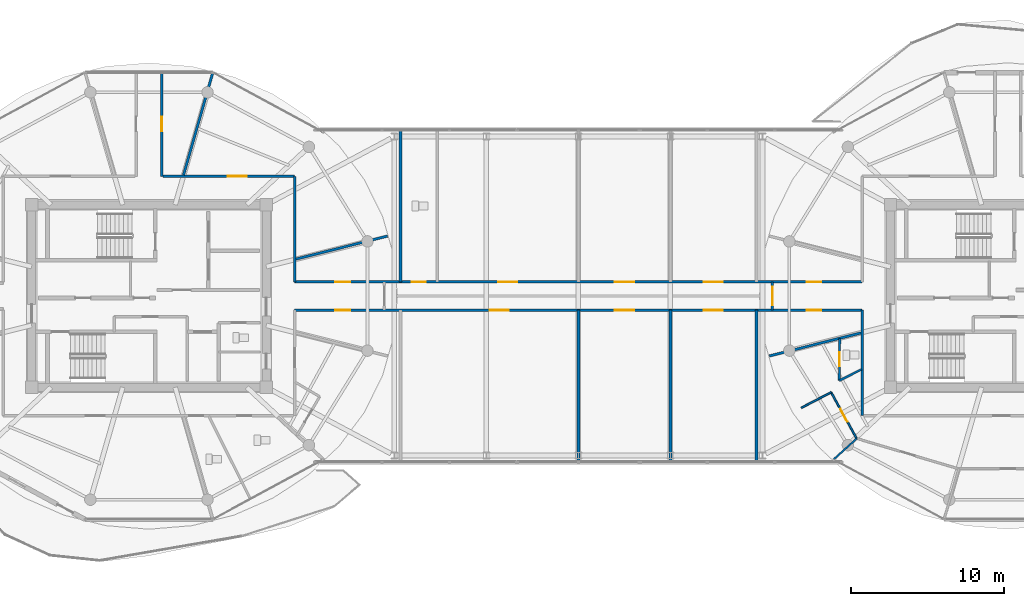
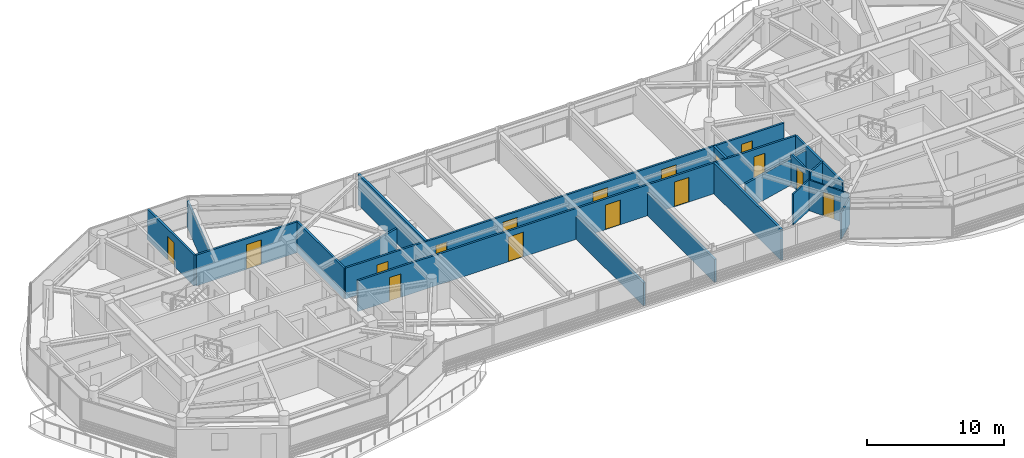
# One storey, part 16 of 24: 19 walls, 16 doors, 16 openings.
"""IFC4 building model written with IfcOpenShell, lengths in metres."""

from ifc_helpers import new_model, si_unit, direction, frame, frame_2d, origin, place, context, subcontext, project, spatial, rectangle, extrude, source, transform, mapped, material, layer, layer_set, type_object, type_shapes, element, fill, save


model = new_model("IFC4")

# Units and contexts
model_context = context("Model", 3, precision=1e-05, world=origin(), true_north=direction((0.0, 1.0)))
body_context = subcontext(model_context, "Body", "Model", "MODEL_VIEW")
ifc_project = project(units=[si_unit("LENGTHUNIT", "METRE"), si_unit("AREAUNIT", "SQUARE_METRE"), si_unit("VOLUMEUNIT", "CUBIC_METRE"), si_unit("PLANEANGLEUNIT", "RADIAN"), si_unit("MASSUNIT", "GRAM", prefix="KILO")], contexts=[model_context])

# Site, building, storey
site_placement = place(None, origin())
site = spatial("IfcSite", under=ifc_project, at=site_placement, CompositionType="ELEMENT")
building_placement = place(site_placement, origin())
building = spatial("IfcBuilding", under=site, at=building_placement, Name="Norrkilde Senior Care Towers", CompositionType="ELEMENT")
storey_placement = place(building_placement, frame((0.0, 0.0, 226.10009765625)))
storey = spatial("IfcBuildingStorey", under=building, at=storey_placement, Name="L70", CompositionType="ELEMENT", Elevation=226.10009765625)

# Walls
ifc_material_1 = material(Name="Gypsum Acoustic Board")
ifc_layer_1 = layer(ifc_material_1, 0.1650390625)
ifc_layer_set_1 = layer_set([ifc_layer_1], Name="Gypsum Acoustic Board")
wall_type_1 = type_object("IfcWallType", Name="Corridor Rated Partition 165", PredefinedType="PARTITIONING", material=ifc_layer_set_1)
shared_shape_1 = source(origin(), body_context, "Body", "SweptSolid", [
    extrude(rectangle(XDim=6.973876953125, YDim=0.1650390625, at=frame_2d((3.48681640625, 0.0))), origin(), (0.0, 0.0, 1.0), 2.344970703125),
])
wall_1_placement = place(storey_placement, frame((-25.748779296875, 7.8798828125, 0.0), z_axis=(0.0, 0.0, 1.0), x_axis=(0.274707256801, 0.961527910703, 0.0)))
element("IfcWall", 1, at=wall_1_placement, inside=storey, type_object=wall_type_1, Name="WL-INT-L70-W-DEM-02-0", PredefinedType="PARTITIONING", context=body_context, shape_type="MappedRepresentation", body=[
    mapped(shared_shape_1, transform((0.0, 0.0, 0.0), x_axis=(1.0, 0.0, 0.0), y_axis=(0.0, 1.0, 0.0), z_axis=(0.0, 0.0, 1.0), scale=1.0)),
])
shared_shape_2 = source(origin(), body_context, "Body", "SweptSolid", [
    extrude(rectangle(XDim=6.1572265625, YDim=0.1650390625, at=frame_2d((3.07861328125, 0.0))), origin(), (0.0, 0.0, 1.0), 2.344970703125),
])
for number, where, z_axis, x_axis, name in (
    (2, (-18.419921875, 2.407470703125, 0.0), (0.0, 0.0, 1.0), (0.969840867184, 0.243738984038, 0.0), "WL-INT-L70-W-DEM-00-0"),
    (3, (18.419921875, -2.407470703125, 0.0), (0.0, 0.0, 1.0), (-0.969840867184, -0.243738984038, 0.0), "WL-INT-L70-E-DEM-06-0"),
):
    element("IfcWall", number, at=place(storey_placement, frame(where, z_axis=z_axis, x_axis=x_axis)), inside=storey, type_object=wall_type_1, Name=name, PredefinedType="PARTITIONING", context=body_context, shape_type="MappedRepresentation", body=[
        mapped(shared_shape_2, transform((0.0, 0.0, 0.0), x_axis=(1.0, 0.0, 0.0), y_axis=(0.0, 1.0, 0.0), z_axis=(0.0, 0.0, 1.0), scale=1.0)),
    ])
ifc_layer_2 = layer(ifc_material_1, 0.114990234375)
ifc_layer_set_2 = layer_set([ifc_layer_2], Name="Gypsum Acoustic Board")
wall_type_2 = type_object("IfcWallType", Name="Internal Room Partition 115", PredefinedType="PARTITIONING", material=ifc_layer_set_2)
shared_shape_3 = source(origin(), body_context, "Body", "SweptSolid", [
    extrude(rectangle(XDim=2.071533203125, YDim=0.114990234375, at=frame_2d((1.03564453125, 0.0))), origin(), (0.0, 0.0, 1.0), 2.344970703125),
])
wall_2_placement = place(storey_placement, frame((18.1513671875, -9.287109375, 0.0), z_axis=(0.0, 0.0, 1.0), x_axis=(-0.741410125356, -0.671052178314, 0.0)))
element("IfcWall", 4, at=wall_2_placement, inside=storey, type_object=wall_type_2, Name="WL-INT-L70-E-UBR-06-1", PredefinedType="PARTITIONING", context=body_context, shape_type="MappedRepresentation", body=[
    mapped(shared_shape_3, transform((0.0, 0.0, 0.0), x_axis=(1.0, 0.0, 0.0), y_axis=(0.0, 1.0, 0.0), z_axis=(0.0, 0.0, 1.0), scale=1.0)),
])

# Wall, opening, door
shared_shape_4 = source(origin(), body_context, "Body", "SweptSolid", [
    extrude(rectangle(XDim=8.580078125, YDim=0.1650390625, at=frame_2d((4.2900390625, 0.0))), origin(), (0.0, 0.0, 1.0), 2.744873046875),
])
wall_3_placement = place(storey_placement, frame((-27.080078125, 7.800048828125, 0.0), z_axis=(0.0, 0.0, 1.0), x_axis=(1.0, 0.0, 0.0)))
wall_3 = element("IfcWall", 5, at=wall_3_placement, inside=storey, type_object=wall_type_1, Name="WL-INT-L70-W-CRW-N-1", PredefinedType="PARTITIONING", context=body_context, shape_type="MappedRepresentation", body=[
    mapped(shared_shape_4, transform((0.0, 0.0, 0.0), x_axis=(1.0, 0.0, 0.0), y_axis=(0.0, 1.0, 0.0), z_axis=(0.0, 0.0, 1.0), scale=1.0)),
])
opening_1_placement = place(wall_3_placement, frame((4.2197265625, 0.0, 0.0)))
opening_1 = element("IfcOpeningElement", 6, at=opening_1_placement, cuts=wall_3, Name="Opening D-05", PredefinedType="OPENING", context=body_context, shape_type="SweptSolid", body=[
    extrude(rectangle(XDim=1.25, YDim=2.199951171875, at=frame_2d((0.625, 1.10009765625))), frame((0.0, 0.092529296875, 0.0), z_axis=(0.0, -1.0, 0.0), x_axis=(1.0, 0.0, 0.0)), (0.0, 0.0, 1.0), 0.18505859375),
])
ifc_material_2 = material(Name="Nordic Ash Timber", Category="wood")
door_type_1 = type_object("IfcDoorType", Name="Care Bedroom Bariatric Door 1250x2200", OperationType="NOTDEFINED", PredefinedType="DOOR", material=ifc_material_2)
shared_shape_5 = source(origin(), body_context, "Body", "SweptSolid", [
    extrude(rectangle(XDim=1.25, YDim=2.199951171875, at=frame_2d((0.625, 1.10009765625))), frame((0.0, 0.02490234375, 0.0), z_axis=(0.0, -1.0, 0.0), x_axis=(1.0, 0.0, 0.0)), (0.0, 0.0, 1.0), 0.050048828125),
])
type_shapes(door_type_1, [shared_shape_5])
door_1_placement = place(opening_1_placement, frame((1.25, 0.0, 0.0), z_axis=(0.0, 0.0, 1.0), x_axis=(-1.0, 0.0, 0.0)))
door_1 = element("IfcDoor", 7, at=door_1_placement, inside=storey, type_object=door_type_1, Name="L70 Household Communal Dining Salon Door", OperationType="SINGLE_SWING_LEFT", OverallHeight=2.199951171875, OverallWidth=1.25, PredefinedType="DOOR", context=body_context, shape_type="MappedRepresentation", body=[
    mapped(shared_shape_5, transform((0.0, 0.0, 0.0), x_axis=(1.0, 0.0, 0.0), y_axis=(0.0, 1.0, 0.0), z_axis=(0.0, 0.0, 1.0), scale=1.0)),
])
fill(opening_1, door_1)

# Walls
shared_shape_6 = source(origin(), body_context, "Body", "SweptSolid", [
    extrude(rectangle(XDim=6.880126953125, YDim=0.1650390625, at=frame_2d((3.43994140625, 0.0))), origin(), (0.0, 0.0, 1.0), 2.744873046875),
])
for number, where, z_axis, x_axis, name in (
    (8, (-18.5, 7.800048828125, 0.0), (0.0, 0.0, 1.0), (0.0, -1.0, 0.0), "WL-INT-L70-W-CRW-E-0"),
    (9, (18.5, -7.800048828125, 0.0), (0.0, 0.0, 1.0), (0.0, 1.0, 0.0), "WL-INT-L70-E-CRW-W-0"),
):
    element("IfcWall", number, at=place(storey_placement, frame(where, z_axis=z_axis, x_axis=x_axis)), inside=storey, type_object=wall_type_1, Name=name, PredefinedType="PARTITIONING", context=body_context, shape_type="MappedRepresentation", body=[
        mapped(shared_shape_6, transform((0.0, 0.0, 0.0), x_axis=(1.0, 0.0, 0.0), y_axis=(0.0, 1.0, 0.0), z_axis=(0.0, 0.0, 1.0), scale=1.0)),
    ])

# Wall, opening, door
shared_shape_7 = source(origin(), body_context, "Body", "SweptSolid", [
    extrude(rectangle(XDim=6.83544921875, YDim=0.1650390625, at=frame_2d((3.417724609375, 0.0))), origin(), (0.0, 0.0, 1.0), 2.744873046875),
])
wall_4_placement = place(storey_placement, frame((-27.159912109375, 14.635498046875, 0.0), z_axis=(0.0, 0.0, 1.0), x_axis=(0.0, -1.0, 0.0)))
wall_4 = element("IfcWall", 10, at=wall_4_placement, inside=storey, type_object=wall_type_1, Name="WL-INT-L70-W-SPK-N2-0", PredefinedType="PARTITIONING", context=body_context, shape_type="MappedRepresentation", body=[
    mapped(shared_shape_7, transform((0.0, 0.0, 0.0), x_axis=(1.0, 0.0, 0.0), y_axis=(0.0, 1.0, 0.0), z_axis=(0.0, 0.0, 1.0), scale=1.0)),
])
opening_2_placement = place(wall_4_placement, frame((2.942626953125, 0.0, 0.0)))
opening_2 = element("IfcOpeningElement", 11, at=opening_2_placement, cuts=wall_4, Name="Opening D-07", PredefinedType="OPENING", context=body_context, shape_type="SweptSolid", body=[
    extrude(rectangle(XDim=0.949951171875, YDim=2.10009765625, at=frame_2d((0.47509765625, 1.050048828125))), frame((0.0, 0.092529296875, 0.0), z_axis=(0.0, -1.0, 0.0), x_axis=(1.0, 0.0, 0.0)), (0.0, 0.0, 1.0), 0.18505859375),
])
door_type_2 = type_object("IfcDoorType", Name="Internal Suite Bedroom Door 950x2100", OperationType="NOTDEFINED", PredefinedType="DOOR", material=ifc_material_2)
shared_shape_8 = source(origin(), body_context, "Body", "SweptSolid", [
    extrude(rectangle(XDim=0.949951171875, YDim=2.10009765625, at=frame_2d((0.47509765625, 1.050048828125))), frame((0.0, 0.02490234375, 0.0), z_axis=(0.0, -1.0, 0.0), x_axis=(1.0, 0.0, 0.0)), (0.0, 0.0, 1.0), 0.050048828125),
])
type_shapes(door_type_2, [shared_shape_8])
door_2_placement = place(opening_2_placement, frame((0.949951171875, 0.0, 0.0), z_axis=(0.0, 0.0, 1.0), x_axis=(-1.0, 0.0, 0.0)))
door_2 = element("IfcDoor", 12, at=door_2_placement, inside=storey, type_object=door_type_2, Name="L70 Sun Reading Lounge 4 Door", OperationType="SINGLE_SWING_LEFT", OverallHeight=2.10009765625, OverallWidth=0.949951171875, PredefinedType="DOOR", context=body_context, shape_type="MappedRepresentation", body=[
    mapped(shared_shape_8, transform((0.0, 0.0, 0.0), x_axis=(1.0, 0.0, 0.0), y_axis=(0.0, 1.0, 0.0), z_axis=(0.0, 0.0, 1.0), scale=1.0)),
])
fill(opening_2, door_2)

# Wall
ifc_layer_3 = layer(ifc_material_1, 0.139892578125)
ifc_layer_set_3 = layer_set([ifc_layer_3], Name="Gypsum Acoustic Board")
wall_type_3 = type_object("IfcWallType", Name="En-suite Wet Room Wall 140", PredefinedType="PARTITIONING", material=ifc_layer_set_3)
shared_shape_9 = source(origin(), body_context, "Body", "SweptSolid", [
    extrude(rectangle(XDim=1.638427734375, YDim=0.139892578125, at=frame_2d((0.8193359375, 0.0))), origin(), (0.0, 0.0, 1.0), 2.744873046875),
])
wall_5_placement = place(storey_placement, frame((18.469970703125, -4.7783203125, 0.0), z_axis=(0.0, 0.0, 1.0), x_axis=(-0.893919977945, -0.448226586707, 0.0)))
element("IfcWall", 13, at=wall_5_placement, inside=storey, type_object=wall_type_3, Name="WL-INT-L70-E-UBTS-06", PredefinedType="PARTITIONING", context=body_context, shape_type="MappedRepresentation", body=[
    mapped(shared_shape_9, transform((0.0, 0.0, 0.0), x_axis=(1.0, 0.0, 0.0), y_axis=(0.0, 1.0, 0.0), z_axis=(0.0, 0.0, 1.0), scale=1.0)),
])

# Wall, opening, door
shared_shape_10 = source(origin(), body_context, "Body", "SweptSolid", [
    extrude(rectangle(XDim=2.7587890625, YDim=0.139892578125, at=frame_2d((1.37939453125, 0.0))), origin(), (0.0, 0.0, 1.0), 2.744873046875),
])
type_shapes(wall_type_3, [shared_shape_9, shared_shape_10])
wall_6_placement = place(storey_placement, frame((17.00537109375, -5.5126953125, 0.0), z_axis=(0.0, 0.0, 1.0), x_axis=(0.01194710728, 0.999928630767, 0.0)))
wall_6 = element("IfcWall", 14, at=wall_6_placement, inside=storey, type_object=wall_type_3, Name="WL-INT-L70-E-UBTF-06", PredefinedType="PARTITIONING", context=body_context, shape_type="MappedRepresentation", body=[
    mapped(shared_shape_10, transform((0.0, 0.0, 0.0), x_axis=(1.0, 0.0, 0.0), y_axis=(0.0, 1.0, 0.0), z_axis=(0.0, 0.0, 1.0), scale=1.0)),
])
opening_3_placement = place(wall_6_placement, frame((0.91943359375, 0.0, 0.0)))
opening_3 = element("IfcOpeningElement", 15, at=opening_3_placement, cuts=wall_6, Name="Opening D-08", PredefinedType="OPENING", context=body_context, shape_type="SweptSolid", body=[
    extrude(rectangle(XDim=0.919921875, YDim=2.10009765625, at=frame_2d((0.4599609375, 1.050048828125))), frame((0.0, 0.079833984375, 0.0), z_axis=(0.0, -1.0, 0.0), x_axis=(1.0, 0.0, 0.0)), (0.0, 0.0, 1.0), 0.159912109375),
])
door_type_3 = type_object("IfcDoorType", Name="Accessible Wet Room Door 920x2100", OperationType="NOTDEFINED", PredefinedType="DOOR", material=ifc_material_2)
shared_shape_11 = source(origin(), body_context, "Body", "SweptSolid", [
    extrude(rectangle(XDim=0.919921875, YDim=2.10009765625, at=frame_2d((0.4599609375, 1.050048828125))), frame((0.0, 0.02490234375, 0.0), z_axis=(0.0, -1.0, 0.0), x_axis=(1.0, 0.0, 0.0)), (0.0, 0.0, 1.0), 0.050048828125),
])
type_shapes(door_type_3, [shared_shape_11])
door_3_placement = place(opening_3_placement, origin())
door_3 = element("IfcDoor", 16, at=door_3_placement, inside=storey, type_object=door_type_3, Name="Apartment 70D Bathroom Door", OperationType="SINGLE_SWING_RIGHT", OverallHeight=2.10009765625, OverallWidth=0.919921875, PredefinedType="DOOR", context=body_context, shape_type="MappedRepresentation", body=[
    mapped(shared_shape_11, transform((0.0, 0.0, 0.0), x_axis=(1.0, 0.0, 0.0), y_axis=(0.0, 1.0, 0.0), z_axis=(0.0, 0.0, 1.0), scale=1.0)),
])
fill(opening_3, door_3)

shared_shape_12 = source(origin(), body_context, "Body", "SweptSolid", [
    extrude(rectangle(XDim=1.83984375, YDim=0.1650390625, at=frame_2d((0.919921875, 0.0))), origin(), (0.0, 0.0, 1.0), 2.744873046875),
])
wall_7_placement = place(storey_placement, frame((12.64990234375, -0.919921875, 0.0), z_axis=(0.0, 0.0, 1.0), x_axis=(0.0, 1.0, 0.0)))
wall_7 = element("IfcWall", 17, at=wall_7_placement, inside=storey, type_object=wall_type_1, Name="WL-INT-L70-BR-GE", PredefinedType="PARTITIONING", context=body_context, shape_type="MappedRepresentation", body=[
    mapped(shared_shape_12, transform((0.0, 0.0, 0.0), x_axis=(1.0, 0.0, 0.0), y_axis=(0.0, 1.0, 0.0), z_axis=(0.0, 0.0, 1.0), scale=1.0)),
])
opening_4_placement = place(wall_7_placement, frame((0.320068359375, 0.0, 0.0)))
opening_4 = element("IfcOpeningElement", 18, at=opening_4_placement, cuts=wall_7, Name="Opening D-04", PredefinedType="OPENING", context=body_context, shape_type="SweptSolid", body=[
    extrude(rectangle(XDim=1.199951171875, YDim=2.14990234375, at=frame_2d((0.60009765625, 1.074951171875))), frame((0.0, 0.092529296875, 0.0), z_axis=(0.0, -1.0, 0.0), x_axis=(1.0, 0.0, 0.0)), (0.0, 0.0, 1.0), 0.18505859375),
])
ifc_material_3 = material(Name="Galvanised Painted Steel", Category="steel")
door_type_4 = type_object("IfcDoorType", Name="Firefighting Lobby Fire Door 1200x2150", OperationType="NOTDEFINED", PredefinedType="DOOR", material=ifc_material_3)
shared_shape_13 = source(origin(), body_context, "Body", "SweptSolid", [
    extrude(rectangle(XDim=1.199951171875, YDim=2.14990234375, at=frame_2d((0.60009765625, 1.074951171875))), frame((0.0, 0.02490234375, 0.0), z_axis=(0.0, -1.0, 0.0), x_axis=(1.0, 0.0, 0.0)), (0.0, 0.0, 1.0), 0.050048828125),
])
type_shapes(door_type_4, [shared_shape_13])
door_4_placement = place(opening_4_placement, origin())
door_4 = element("IfcDoor", 19, at=door_4_placement, inside=storey, type_object=door_type_4, Name="L70 Sky-Gate Bridge GE Fire Door", OperationType="SINGLE_SWING_RIGHT", OverallHeight=2.14990234375, OverallWidth=1.199951171875, PredefinedType="DOOR", context=body_context, shape_type="MappedRepresentation", body=[
    mapped(shared_shape_13, transform((0.0, 0.0, 0.0), x_axis=(1.0, 0.0, 0.0), y_axis=(0.0, 1.0, 0.0), z_axis=(0.0, 0.0, 1.0), scale=1.0)),
])
fill(opening_4, door_4)

# Wall, openings, doors
shared_shape_14 = source(origin(), body_context, "Body", "SweptSolid", [
    extrude(rectangle(XDim=37.0, YDim=0.1650390625, at=frame_2d((18.5, 0.0))), origin(), (0.0, 0.0, 1.0), 2.744873046875),
])
type_shapes(wall_type_1, [shared_shape_1, shared_shape_2, shared_shape_4, shared_shape_6, shared_shape_7, shared_shape_12, shared_shape_14])
wall_8_placement = place(storey_placement, frame((-18.5, -0.919921875, 0.0), z_axis=(0.0, 0.0, 1.0), x_axis=(1.0, 0.0, 0.0)))
wall_8 = element("IfcWall", 20, at=wall_8_placement, inside=storey, type_object=wall_type_1, Name="WL-INT-L70-BR-CS", PredefinedType="PARTITIONING", context=body_context, shape_type="MappedRepresentation", body=[
    mapped(shared_shape_14, transform((0.0, 0.0, 0.0), x_axis=(1.0, 0.0, 0.0), y_axis=(0.0, 1.0, 0.0), z_axis=(0.0, 0.0, 1.0), scale=1.0)),
])
opening_5_placement = place(wall_8_placement, frame((2.66162109375, 0.0, 0.0)))
opening_5 = element("IfcOpeningElement", 21, at=opening_5_placement, cuts=wall_8, Name="Opening D-07", PredefinedType="OPENING", context=body_context, shape_type="SweptSolid", body=[
    extrude(rectangle(XDim=0.949951171875, YDim=2.10009765625, at=frame_2d((0.47509765625, 1.050048828125))), frame((0.0, 0.092529296875, 0.0), z_axis=(0.0, -1.0, 0.0), x_axis=(1.0, 0.0, 0.0)), (0.0, 0.0, 1.0), 0.18505859375),
])
opening_6_placement = place(wall_8_placement, frame((33.38818359375, 0.0, 0.0)))
opening_6 = element("IfcOpeningElement", 22, at=opening_6_placement, cuts=wall_8, Name="Opening D-07", PredefinedType="OPENING", context=body_context, shape_type="SweptSolid", body=[
    extrude(rectangle(XDim=0.949951171875, YDim=2.10009765625, at=frame_2d((0.47509765625, 1.050048828125))), frame((0.0, 0.092529296875, 0.0), z_axis=(0.0, -1.0, 0.0), x_axis=(1.0, 0.0, 0.0)), (0.0, 0.0, 1.0), 0.18505859375),
])
opening_7_placement = place(wall_8_placement, frame((12.7099609375, 0.0, 0.0)))
opening_7 = element("IfcOpeningElement", 23, at=opening_7_placement, cuts=wall_8, Name="Opening D-05", PredefinedType="OPENING", context=body_context, shape_type="SweptSolid", body=[
    extrude(rectangle(XDim=1.25, YDim=2.199951171875, at=frame_2d((0.625, 1.10009765625))), frame((0.0, 0.092529296875, 0.0), z_axis=(0.0, -1.0, 0.0), x_axis=(1.0, 0.0, 0.0)), (0.0, 0.0, 1.0), 0.18505859375),
])
opening_8_placement = place(wall_8_placement, frame((20.875, 0.0, 0.0)))
opening_8 = element("IfcOpeningElement", 24, at=opening_8_placement, cuts=wall_8, Name="Opening D-05", PredefinedType="OPENING", context=body_context, shape_type="SweptSolid", body=[
    extrude(rectangle(XDim=1.25, YDim=2.199951171875, at=frame_2d((0.625, 1.10009765625))), frame((0.0, 0.092529296875, 0.0), z_axis=(0.0, -1.0, 0.0), x_axis=(1.0, 0.0, 0.0)), (0.0, 0.0, 1.0), 0.18505859375),
])
opening_9_placement = place(wall_8_placement, frame((26.675048828125, 0.0, 0.0)))
opening_9 = element("IfcOpeningElement", 25, at=opening_9_placement, cuts=wall_8, Name="Opening D-05", PredefinedType="OPENING", context=body_context, shape_type="SweptSolid", body=[
    extrude(rectangle(XDim=1.25, YDim=2.199951171875, at=frame_2d((0.625, 1.10009765625))), frame((0.0, 0.092529296875, 0.0), z_axis=(0.0, -1.0, 0.0), x_axis=(1.0, 0.0, 0.0)), (0.0, 0.0, 1.0), 0.18505859375),
])
door_5_placement = place(opening_7_placement, origin())
door_5 = element("IfcDoor", 26, at=door_5_placement, inside=storey, type_object=door_type_1, Name="L70 Bridge South Room 1 Door", OperationType="SINGLE_SWING_LEFT", OverallHeight=2.199951171875, OverallWidth=1.25, PredefinedType="DOOR", context=body_context, shape_type="MappedRepresentation", body=[
    mapped(shared_shape_5, transform((0.0, 0.0, 0.0), x_axis=(1.0, 0.0, 0.0), y_axis=(0.0, 1.0, 0.0), z_axis=(0.0, 0.0, 1.0), scale=1.0)),
])
fill(opening_7, door_5)
door_6_placement = place(opening_8_placement, origin())
door_6 = element("IfcDoor", 27, at=door_6_placement, inside=storey, type_object=door_type_1, Name="L70 Bridge South Room 2 Door", OperationType="SINGLE_SWING_RIGHT", OverallHeight=2.199951171875, OverallWidth=1.25, PredefinedType="DOOR", context=body_context, shape_type="MappedRepresentation", body=[
    mapped(shared_shape_5, transform((0.0, 0.0, 0.0), x_axis=(1.0, 0.0, 0.0), y_axis=(0.0, 1.0, 0.0), z_axis=(0.0, 0.0, 1.0), scale=1.0)),
])
fill(opening_8, door_6)
door_7_placement = place(opening_9_placement, origin())
door_7 = element("IfcDoor", 28, at=door_7_placement, inside=storey, type_object=door_type_1, Name="L70 Bridge South Room 3 Door", OperationType="SINGLE_SWING_LEFT", OverallHeight=2.199951171875, OverallWidth=1.25, PredefinedType="DOOR", context=body_context, shape_type="MappedRepresentation", body=[
    mapped(shared_shape_5, transform((0.0, 0.0, 0.0), x_axis=(1.0, 0.0, 0.0), y_axis=(0.0, 1.0, 0.0), z_axis=(0.0, 0.0, 1.0), scale=1.0)),
])
fill(opening_9, door_7)
door_8_placement = place(opening_5_placement, frame((0.949951171875, 0.0, 0.0), z_axis=(0.0, 0.0, 1.0), x_axis=(-1.0, 0.0, 0.0)))
door_8 = element("IfcDoor", 29, at=door_8_placement, inside=storey, type_object=door_type_2, Name="L70 Sun Reading Lounge 5 Door", OperationType="SINGLE_SWING_RIGHT", OverallHeight=2.10009765625, OverallWidth=0.949951171875, PredefinedType="DOOR", context=body_context, shape_type="MappedRepresentation", body=[
    mapped(shared_shape_8, transform((0.0, 0.0, 0.0), x_axis=(1.0, 0.0, 0.0), y_axis=(0.0, 1.0, 0.0), z_axis=(0.0, 0.0, 1.0), scale=1.0)),
])
fill(opening_5, door_8)
door_9_placement = place(opening_6_placement, frame((0.949951171875, 0.0, 0.0), z_axis=(0.0, 0.0, 1.0), x_axis=(-1.0, 0.0, 0.0)))
door_9 = element("IfcDoor", 30, at=door_9_placement, inside=storey, type_object=door_type_2, Name="L70 Sun Reading Lounge 1 Door", OperationType="SINGLE_SWING_RIGHT", OverallHeight=2.10009765625, OverallWidth=0.949951171875, PredefinedType="DOOR", context=body_context, shape_type="MappedRepresentation", body=[
    mapped(shared_shape_8, transform((0.0, 0.0, 0.0), x_axis=(1.0, 0.0, 0.0), y_axis=(0.0, 1.0, 0.0), z_axis=(0.0, 0.0, 1.0), scale=1.0)),
])
fill(opening_6, door_9)

wall_9_placement = place(storey_placement, frame((-18.5, 0.919921875, 0.0), z_axis=(0.0, 0.0, 1.0), x_axis=(1.0, 0.0, 0.0)))
wall_9 = element("IfcWall", 31, at=wall_9_placement, inside=storey, type_object=wall_type_1, Name="WL-INT-L70-BR-CN", PredefinedType="PARTITIONING", context=body_context, shape_type="MappedRepresentation", body=[
    mapped(shared_shape_14, transform((0.0, 0.0, 0.0), x_axis=(1.0, 0.0, 0.0), y_axis=(0.0, 1.0, 0.0), z_axis=(0.0, 0.0, 1.0), scale=1.0)),
])
opening_10_placement = place(wall_9_placement, frame((2.66162109375, 0.0, 0.0)))
opening_10 = element("IfcOpeningElement", 32, at=opening_10_placement, cuts=wall_9, Name="Opening D-07", PredefinedType="OPENING", context=body_context, shape_type="SweptSolid", body=[
    extrude(rectangle(XDim=0.949951171875, YDim=2.10009765625, at=frame_2d((0.47509765625, 1.050048828125))), frame((0.0, 0.092529296875, 0.0), z_axis=(0.0, -1.0, 0.0), x_axis=(1.0, 0.0, 0.0)), (0.0, 0.0, 1.0), 0.18505859375),
])
opening_11_placement = place(wall_9_placement, frame((33.38818359375, 0.0, 0.0)))
opening_11 = element("IfcOpeningElement", 33, at=opening_11_placement, cuts=wall_9, Name="Opening D-07", PredefinedType="OPENING", context=body_context, shape_type="SweptSolid", body=[
    extrude(rectangle(XDim=0.949951171875, YDim=2.10009765625, at=frame_2d((0.47509765625, 1.050048828125))), frame((0.0, 0.092529296875, 0.0), z_axis=(0.0, -1.0, 0.0), x_axis=(1.0, 0.0, 0.0)), (0.0, 0.0, 1.0), 0.18505859375),
])
opening_12_placement = place(wall_9_placement, frame((7.639892578125, 0.0, 0.0)))
opening_12 = element("IfcOpeningElement", 34, at=opening_12_placement, cuts=wall_9, Name="Opening D-08", PredefinedType="OPENING", context=body_context, shape_type="SweptSolid", body=[
    extrude(rectangle(XDim=0.919921875, YDim=2.10009765625, at=frame_2d((0.4599609375, 1.050048828125))), frame((0.0, 0.092529296875, 0.0), z_axis=(0.0, -1.0, 0.0), x_axis=(1.0, 0.0, 0.0)), (0.0, 0.0, 1.0), 0.18505859375),
])
opening_13_placement = place(wall_9_placement, frame((13.27490234375, 0.0, 0.0)))
opening_13 = element("IfcOpeningElement", 35, at=opening_13_placement, cuts=wall_9, Name="Opening D-05", PredefinedType="OPENING", context=body_context, shape_type="SweptSolid", body=[
    extrude(rectangle(XDim=1.25, YDim=2.199951171875, at=frame_2d((0.625, 1.10009765625))), frame((0.0, 0.092529296875, 0.0), z_axis=(0.0, -1.0, 0.0), x_axis=(1.0, 0.0, 0.0)), (0.0, 0.0, 1.0), 0.18505859375),
])
opening_14_placement = place(wall_9_placement, frame((20.875, 0.0, 0.0)))
opening_14 = element("IfcOpeningElement", 36, at=opening_14_placement, cuts=wall_9, Name="Opening D-05", PredefinedType="OPENING", context=body_context, shape_type="SweptSolid", body=[
    extrude(rectangle(XDim=1.25, YDim=2.199951171875, at=frame_2d((0.625, 1.10009765625))), frame((0.0, 0.092529296875, 0.0), z_axis=(0.0, -1.0, 0.0), x_axis=(1.0, 0.0, 0.0)), (0.0, 0.0, 1.0), 0.18505859375),
])
opening_15_placement = place(wall_9_placement, frame((26.675048828125, 0.0, 0.0)))
opening_15 = element("IfcOpeningElement", 37, at=opening_15_placement, cuts=wall_9, Name="Opening D-05", PredefinedType="OPENING", context=body_context, shape_type="SweptSolid", body=[
    extrude(rectangle(XDim=1.25, YDim=2.199951171875, at=frame_2d((0.625, 1.10009765625))), frame((0.0, 0.092529296875, 0.0), z_axis=(0.0, -1.0, 0.0), x_axis=(1.0, 0.0, 0.0)), (0.0, 0.0, 1.0), 0.18505859375),
])
door_10_placement = place(opening_13_placement, frame((1.25, 0.0, 0.0), z_axis=(0.0, 0.0, 1.0), x_axis=(-1.0, 0.0, 0.0)))
door_10 = element("IfcDoor", 38, at=door_10_placement, inside=storey, type_object=door_type_1, Name="L70 Bridge North Clinic 1 Door", OperationType="SINGLE_SWING_RIGHT", OverallHeight=2.199951171875, OverallWidth=1.25, PredefinedType="DOOR", context=body_context, shape_type="MappedRepresentation", body=[
    mapped(shared_shape_5, transform((0.0, 0.0, 0.0), x_axis=(1.0, 0.0, 0.0), y_axis=(0.0, 1.0, 0.0), z_axis=(0.0, 0.0, 1.0), scale=1.0)),
])
fill(opening_13, door_10)
door_11_placement = place(opening_14_placement, frame((1.25, 0.0, 0.0), z_axis=(0.0, 0.0, 1.0), x_axis=(-1.0, 0.0, 0.0)))
door_11 = element("IfcDoor", 39, at=door_11_placement, inside=storey, type_object=door_type_1, Name="L70 Bridge North Room 2 Door", OperationType="SINGLE_SWING_LEFT", OverallHeight=2.199951171875, OverallWidth=1.25, PredefinedType="DOOR", context=body_context, shape_type="MappedRepresentation", body=[
    mapped(shared_shape_5, transform((0.0, 0.0, 0.0), x_axis=(1.0, 0.0, 0.0), y_axis=(0.0, 1.0, 0.0), z_axis=(0.0, 0.0, 1.0), scale=1.0)),
])
fill(opening_14, door_11)
door_12_placement = place(opening_15_placement, frame((1.25, 0.0, 0.0), z_axis=(0.0, 0.0, 1.0), x_axis=(-1.0, 0.0, 0.0)))
door_12 = element("IfcDoor", 40, at=door_12_placement, inside=storey, type_object=door_type_1, Name="L70 Bridge North Room 3 Door", OperationType="SINGLE_SWING_RIGHT", OverallHeight=2.199951171875, OverallWidth=1.25, PredefinedType="DOOR", context=body_context, shape_type="MappedRepresentation", body=[
    mapped(shared_shape_5, transform((0.0, 0.0, 0.0), x_axis=(1.0, 0.0, 0.0), y_axis=(0.0, 1.0, 0.0), z_axis=(0.0, 0.0, 1.0), scale=1.0)),
])
fill(opening_15, door_12)
door_13_placement = place(opening_12_placement, frame((0.919921875, 0.0, 0.0), z_axis=(0.0, 0.0, 1.0), x_axis=(-1.0, 0.0, 0.0)))
door_13 = element("IfcDoor", 41, at=door_13_placement, inside=storey, type_object=door_type_3, Name="L70 Bridge Accessible WC Door", OperationType="SINGLE_SWING_LEFT", OverallHeight=2.10009765625, OverallWidth=0.919921875, PredefinedType="DOOR", context=body_context, shape_type="MappedRepresentation", body=[
    mapped(shared_shape_11, transform((0.0, 0.0, 0.0), x_axis=(1.0, 0.0, 0.0), y_axis=(0.0, 1.0, 0.0), z_axis=(0.0, 0.0, 1.0), scale=1.0)),
])
fill(opening_12, door_13)
door_14_placement = place(opening_10_placement, frame((0.949951171875, 0.0, 0.0), z_axis=(0.0, 0.0, 1.0), x_axis=(-1.0, 0.0, 0.0)))
door_14 = element("IfcDoor", 42, at=door_14_placement, inside=storey, type_object=door_type_2, Name="L70 Sun Reading Lounge 6 Door", OperationType="SINGLE_SWING_LEFT", OverallHeight=2.10009765625, OverallWidth=0.949951171875, PredefinedType="DOOR", context=body_context, shape_type="MappedRepresentation", body=[
    mapped(shared_shape_8, transform((0.0, 0.0, 0.0), x_axis=(1.0, 0.0, 0.0), y_axis=(0.0, 1.0, 0.0), z_axis=(0.0, 0.0, 1.0), scale=1.0)),
])
fill(opening_10, door_14)
door_15_placement = place(opening_11_placement, frame((0.949951171875, 0.0, 0.0), z_axis=(0.0, 0.0, 1.0), x_axis=(-1.0, 0.0, 0.0)))
door_15 = element("IfcDoor", 43, at=door_15_placement, inside=storey, type_object=door_type_2, Name="L70 Sun Reading Lounge 2 Door", OperationType="SINGLE_SWING_LEFT", OverallHeight=2.10009765625, OverallWidth=0.949951171875, PredefinedType="DOOR", context=body_context, shape_type="MappedRepresentation", body=[
    mapped(shared_shape_8, transform((0.0, 0.0, 0.0), x_axis=(1.0, 0.0, 0.0), y_axis=(0.0, 1.0, 0.0), z_axis=(0.0, 0.0, 1.0), scale=1.0)),
])
fill(opening_11, door_15)

# Walls
ifc_layer_4 = layer(ifc_material_1, 0.18994140625)
ifc_layer_set_4 = layer_set([ifc_layer_4], Name="Gypsum Acoustic Board")
wall_type_4 = type_object("IfcWallType", Name="Unit Demising Acoustic Wall 190", PredefinedType="PARTITIONING", material=ifc_layer_set_4)
shared_shape_15 = source(origin(), body_context, "Body", "SweptSolid", [
    extrude(rectangle(XDim=9.880126953125, YDim=0.18994140625, at=frame_2d((4.93994140625, 0.0))), origin(), (0.0, 0.0, 1.0), 2.744873046875),
])
for number, where, z_axis, x_axis, name in (
    (44, (-11.60009765625, 0.919921875, 0.0), (0.0, 0.0, 1.0), (0.0, 1.0, 0.0), "WL-INT-L70-BR-EN-12"),
    (45, (11.60009765625, -10.800048828125, 0.0), (0.0, 0.0, 1.0), (0.0, 1.0, 0.0), "WL-INT-L70-BR-ES+12"),
):
    element("IfcWall", number, at=place(storey_placement, frame(where, z_axis=z_axis, x_axis=x_axis)), inside=storey, type_object=wall_type_4, Name=name, PredefinedType="PARTITIONING", context=body_context, shape_type="MappedRepresentation", body=[
        mapped(shared_shape_15, transform((0.0, 0.0, 0.0), x_axis=(1.0, 0.0, 0.0), y_axis=(0.0, 1.0, 0.0), z_axis=(0.0, 0.0, 1.0), scale=1.0)),
    ])
shared_shape_16 = source(origin(), body_context, "Body", "SweptSolid", [
    extrude(rectangle(XDim=9.880126953125, YDim=0.18994140625, at=frame_2d((4.93994140625, 0.0))), origin(), (0.0, 0.0, 1.0), 2.044921875),
])
type_shapes(wall_type_4, [shared_shape_15, shared_shape_16])
for number, where, z_axis, x_axis, name in (
    (46, (0.0, -10.800048828125, 0.0), (0.0, 0.0, 1.0), (0.0, 1.0, 0.0), "WL-INT-L70-BR-VS1"),
    (47, (6.0, -10.800048828125, 0.0), (0.0, 0.0, 1.0), (0.0, 1.0, 0.0), "WL-INT-L70-BR-VS2"),
):
    element("IfcWall", number, at=place(storey_placement, frame(where, z_axis=z_axis, x_axis=x_axis)), inside=storey, type_object=wall_type_4, Name=name, PredefinedType="PARTITIONING", context=body_context, shape_type="MappedRepresentation", body=[
        mapped(shared_shape_16, transform((0.0, 0.0, 0.0), x_axis=(1.0, 0.0, 0.0), y_axis=(0.0, 1.0, 0.0), z_axis=(0.0, 0.0, 1.0), scale=1.0)),
    ])
shared_shape_17 = source(origin(), body_context, "Body", "SweptSolid", [
    extrude(rectangle(XDim=2.193115234375, YDim=0.114990234375, at=frame_2d((1.0966796875, 0.0))), origin(), (0.0, 0.0, 1.0), 2.744873046875),
])
wall_10_placement = place(storey_placement, frame((16.474609375, -6.27490234375, 0.0), z_axis=(0.0, 0.0, 1.0), x_axis=(-0.885783595046, -0.464098505435, 0.0)))
element("IfcWall", 48, at=wall_10_placement, inside=storey, type_object=wall_type_2, Name="WL-INT-L70-E-UKTS-06", PredefinedType="PARTITIONING", context=body_context, shape_type="MappedRepresentation", body=[
    mapped(shared_shape_17, transform((0.0, 0.0, 0.0), x_axis=(1.0, 0.0, 0.0), y_axis=(0.0, 1.0, 0.0), z_axis=(0.0, 0.0, 1.0), scale=1.0)),
])

# Wall, opening, door
shared_shape_18 = source(origin(), body_context, "Body", "SweptSolid", [
    extrude(rectangle(XDim=3.4501953125, YDim=0.114990234375, at=frame_2d((1.72509765625, 0.0))), origin(), (0.0, 0.0, 1.0), 2.744873046875),
])
type_shapes(wall_type_2, [shared_shape_3, shared_shape_17, shared_shape_18])
wall_11_placement = place(storey_placement, frame((16.474609375, -6.27490234375, 0.0), z_axis=(0.0, 0.0, 1.0), x_axis=(0.483659007882, -0.875256513312, 0.0)))
wall_11 = element("IfcWall", 49, at=wall_11_placement, inside=storey, type_object=wall_type_2, Name="WL-INT-L70-E-UKTF-06", PredefinedType="PARTITIONING", context=body_context, shape_type="MappedRepresentation", body=[
    mapped(shared_shape_18, transform((0.0, 0.0, 0.0), x_axis=(1.0, 0.0, 0.0), y_axis=(0.0, 1.0, 0.0), z_axis=(0.0, 0.0, 1.0), scale=1.0)),
])
opening_16_placement = place(wall_11_placement, frame((1.25, 0.0, 0.0)))
opening_16 = element("IfcOpeningElement", 50, at=opening_16_placement, cuts=wall_11, Name="Opening D-07", PredefinedType="OPENING", context=body_context, shape_type="SweptSolid", body=[
    extrude(rectangle(XDim=0.949951171875, YDim=2.10009765625, at=frame_2d((0.47509765625, 1.050048828125))), frame((0.0, 0.0673828125, 0.0), z_axis=(0.0, -1.0, 0.0), x_axis=(1.0, 0.0, 0.0)), (0.0, 0.0, 1.0), 0.135009765625),
])
door_16_placement = place(opening_16_placement, frame((0.949951171875, 0.0, 0.0), z_axis=(0.0, 0.0, 1.0), x_axis=(-1.0, 0.0, 0.0)))
door_16 = element("IfcDoor", 51, at=door_16_placement, inside=storey, type_object=door_type_2, Name="Apartment 70D Kitchen Door", OperationType="SINGLE_SWING_LEFT", OverallHeight=2.10009765625, OverallWidth=0.949951171875, PredefinedType="DOOR", context=body_context, shape_type="MappedRepresentation", body=[
    mapped(shared_shape_8, transform((0.0, 0.0, 0.0), x_axis=(1.0, 0.0, 0.0), y_axis=(0.0, 1.0, 0.0), z_axis=(0.0, 0.0, 1.0), scale=1.0)),
])
fill(opening_16, door_16)

save(model, "model.ifc")
